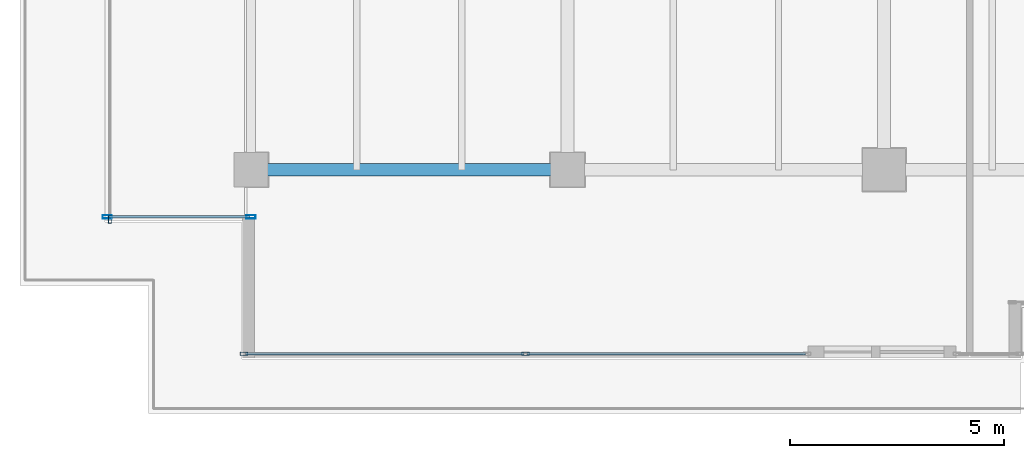
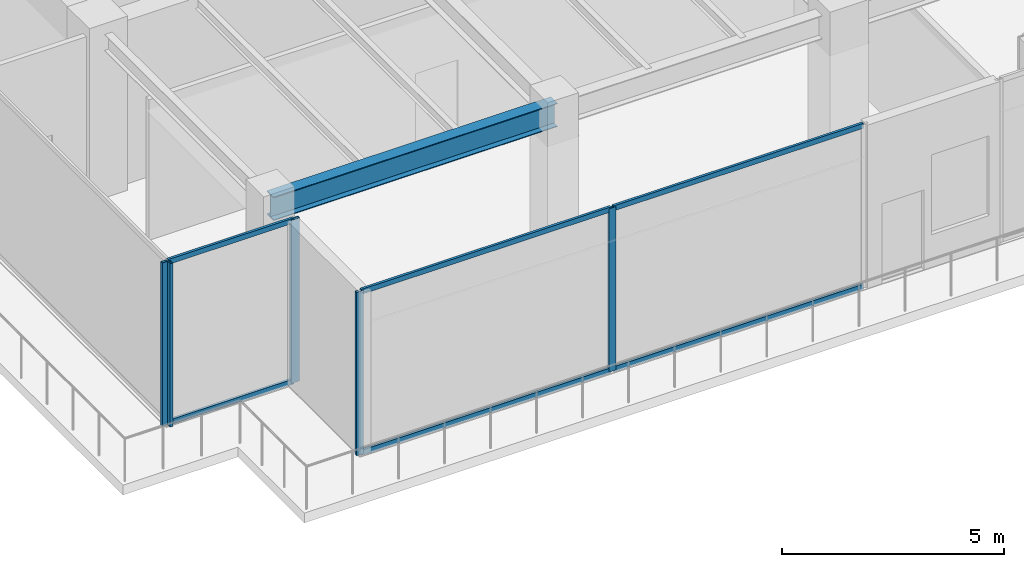
# One storey, part 5 of 37: 11 members, 1 beam, 3 elements without a shape of their own.
"""IFC4 building model written with IfcOpenShell, lengths in metres."""

from ifc_helpers import new_model, si_unit, direction, frame, origin, origin_2d, place, context, subcontext, project, spatial, hollow_rectangle, i_section, extrude, source, transform, mapped, material, layer, layer_set, material_profile, profile_set, type_object, type_shapes, element, aggregate, save


model = new_model("IFC4")

# Units and contexts
model_context = context("Model", 3, precision=1e-05, world=origin(), true_north=direction((0.0, 1.0)))
body_context = subcontext(model_context, "Body", "Model", "MODEL_VIEW")
ifc_project = project(units=[si_unit("LENGTHUNIT", "METRE"), si_unit("AREAUNIT", "SQUARE_METRE"), si_unit("VOLUMEUNIT", "CUBIC_METRE"), si_unit("PLANEANGLEUNIT", "RADIAN"), si_unit("MASSUNIT", "GRAM", prefix="KILO")], contexts=[model_context])

# Site, building, storey
site_placement = place(None, origin())
site = spatial("IfcSite", under=ifc_project, at=site_placement, CompositionType="ELEMENT")
building_placement = place(site_placement, origin())
building = spatial("IfcBuilding", under=site, at=building_placement, Name="Haelvirn Gate Laboratories", CompositionType="ELEMENT")
storey_placement = place(building_placement, frame((0.0, 0.0, 196.60009765625)))
storey = spatial("IfcBuildingStorey", under=building, at=storey_placement, Name="L47", CompositionType="ELEMENT", Elevation=196.60009765625)

# Beam
ifc_material_1 = material(Name="Steel SM355", Category="steel")
ifc_material_profile_1 = material_profile(ifc_material_1, i_section(OverallWidth=0.300048828125, OverallDepth=0.64990234375, WebThickness=0.012939453125, FlangeThickness=0.02197265625, at=origin_2d()), Name="H-650x300x13x22")
ifc_profile_set_1 = profile_set([ifc_material_profile_1], Name="Steel SM355")
beam_type = type_object("IfcBeamType", Name="BM-G-650", PredefinedType="BEAM", material=ifc_profile_set_1)
shared_shape_1 = source(origin(), body_context, "Body", "SweptSolid", [
    extrude(i_section(OverallWidth=0.300048828125, OverallDepth=0.64990234375, WebThickness=0.012939453125, FlangeThickness=0.02197265625, at=origin_2d()), origin(), (0.0, 0.0, 1.0), 7.400146484375),
])
type_shapes(beam_type, [shared_shape_1])
beam_placement = place(storey_placement, frame((7.39990234375, 7.0, 4.1748046875), z_axis=(1.0, 0.0, 0.0), x_axis=(0.0, 1.0, 0.0)))
element("IfcBeam", 1, at=beam_placement, inside=storey, type_object=beam_type, Name="L47 Primary Girder Y7.0 (7.4-14.8)", PredefinedType="BEAM", context=body_context, shape_type="MappedRepresentation", body=[
    mapped(shared_shape_1, transform((0.0, 0.0, 0.0), scale=1.0)),
])

# Curtain wall, members
ifc_material_2 = material(Name="Anodised bronze unitised aluminium & triple low-E glass", Category="aluminium")
ifc_layer_1 = layer(ifc_material_2, 0.176025390625, Name="CW-SYS-4")
ifc_layer_set_1 = layer_set([ifc_layer_1], Name="Anodised bronze unitised aluminium & triple low-E glass")
curtain_wall_type_1 = type_object("IfcCurtainWallType", Name="CW-SYS-4", PredefinedType="NOTDEFINED", material=ifc_layer_set_1)
curtain_wall_1_placement = place(storey_placement, origin())
curtain_wall_1 = element("IfcCurtainWall", 2, at=curtain_wall_1_placement, inside=storey, type_object=curtain_wall_type_1, Name="L47 Unitised Curtain Wall CW-L47-P0-E00-1", PredefinedType="NOTDEFINED")
ifc_material_3 = material(Name="Extruded aluminium 6063-T6 (anodised bronze)", Category="aluminium")
ifc_material_profile_2 = material_profile(ifc_material_3, hollow_rectangle(XDim=0.070068359375, YDim=0.179931640625, WallThickness=0.0048828125, at=origin_2d()), Name="CWM-180x70x5")
ifc_profile_set_2 = profile_set([ifc_material_profile_2], Name="Extruded aluminium 6063-T6 (anodised bronze)")
member_type_1 = type_object("IfcMemberType", Name="CWM-T180", PredefinedType="MULLION", material=ifc_profile_set_2)
shared_shape_2 = source(origin(), body_context, "Body", "SweptSolid", [
    extrude(hollow_rectangle(XDim=0.070068359375, YDim=0.179931640625, WallThickness=0.0048828125, at=origin_2d()), origin(), (0.0, 0.0, 1.0), 4.5),
])
type_shapes(member_type_1, [shared_shape_2])
member_1_placement = place(storey_placement, frame((7.235107421875, 2.699951171875, 0.0), z_axis=(0.0, 0.0, 1.0), x_axis=(0.0, 1.0, 0.0)))
member_1 = element("IfcMember", 3, at=member_1_placement, type_object=member_type_1, Name="CW4 mullion 1", PredefinedType="MULLION", context=body_context, shape_type="MappedRepresentation", body=[
    mapped(shared_shape_2, transform((0.0, 0.0, 0.0), scale=1.0)),
])
member_2_placement = place(storey_placement, frame((13.81494140625, 2.699951171875, 0.0), z_axis=(0.0, 0.0, 1.0), x_axis=(0.0, 1.0, 0.0)))
member_2 = element("IfcMember", 4, at=member_2_placement, type_object=member_type_1, Name="CW4 mullion 2", PredefinedType="MULLION", context=body_context, shape_type="MappedRepresentation", body=[
    mapped(shared_shape_2, transform((0.0, 0.0, 0.0), scale=1.0)),
])

# Curtain wall, member
curtain_wall_2_placement = place(storey_placement, origin())
curtain_wall_2 = element("IfcCurtainWall", 5, at=curtain_wall_2_placement, inside=storey, type_object=curtain_wall_type_1, Name="L47 Unitised Curtain Wall CW-L47-P0-E17", PredefinedType="NOTDEFINED")
member_3_placement = place(storey_placement, frame((4.10009765625, 5.8349609375, 0.0), z_axis=(0.0, 0.0, 1.0), x_axis=(1.0, 0.0, 0.0)))
member_3 = element("IfcMember", 6, at=member_3_placement, type_object=member_type_1, Name="CW4 mullion 3", PredefinedType="MULLION", context=body_context, shape_type="MappedRepresentation", body=[
    mapped(shared_shape_2, transform((0.0, 0.0, 0.0), scale=1.0)),
])
aggregate(curtain_wall_2, [member_3])

# Member
ifc_material_profile_3 = material_profile(ifc_material_3, hollow_rectangle(XDim=0.06494140625, YDim=0.139892578125, WallThickness=0.00390625, at=origin_2d()), Name="CWT-140x65x4")
ifc_profile_set_3 = profile_set([ifc_material_profile_3], Name="Extruded aluminium 6063-T6 (anodised bronze)")
member_type_2 = type_object("IfcMemberType", Name="CWT-T140", PredefinedType="USERDEFINED", material=ifc_profile_set_3)
shared_shape_3 = source(origin(), body_context, "Body", "SweptSolid", [
    extrude(hollow_rectangle(XDim=0.06494140625, YDim=0.139892578125, WallThickness=0.00390625, at=origin_2d()), origin(), (0.0, 0.0, 1.0), 6.510009765625),
])
member_4_placement = place(storey_placement, frame((7.27001953125, 2.699951171875, 0.032470703125), z_axis=(1.0, 0.0, 0.0), x_axis=(0.0, 1.0, 0.0)))
member_4 = element("IfcMember", 7, at=member_4_placement, type_object=member_type_2, Name="CW4 transom 1.1", ObjectType="TRANSOM", PredefinedType="USERDEFINED", context=body_context, shape_type="MappedRepresentation", body=[
    mapped(shared_shape_3, transform((0.0, 0.0, 0.0), scale=1.0)),
])

member_5_placement = place(storey_placement, frame((7.27001953125, 2.699951171875, 4.46728515625), z_axis=(1.0, 0.0, 0.0), x_axis=(0.0, 1.0, 0.0)))
member_5 = element("IfcMember", 8, at=member_5_placement, type_object=member_type_2, Name="CW4 transom 1.2", ObjectType="TRANSOM", PredefinedType="USERDEFINED", context=body_context, shape_type="MappedRepresentation", body=[
    mapped(shared_shape_3, transform((0.0, 0.0, 0.0), scale=1.0)),
])

member_6_placement = place(storey_placement, frame((13.85009765625, 2.699951171875, 0.032470703125), z_axis=(1.0, 0.0, 0.0), x_axis=(0.0, 1.0, 0.0)))
member_6 = element("IfcMember", 9, at=member_6_placement, type_object=member_type_2, Name="CW4 transom 2.1", ObjectType="TRANSOM", PredefinedType="USERDEFINED", context=body_context, shape_type="MappedRepresentation", body=[
    mapped(shared_shape_3, transform((0.0, 0.0, 0.0), scale=1.0)),
])

member_7_placement = place(storey_placement, frame((13.85009765625, 2.699951171875, 4.46728515625), z_axis=(1.0, 0.0, 0.0), x_axis=(0.0, 1.0, 0.0)))
member_7 = element("IfcMember", 10, at=member_7_placement, type_object=member_type_2, Name="CW4 transom 2.2", ObjectType="TRANSOM", PredefinedType="USERDEFINED", context=body_context, shape_type="MappedRepresentation", body=[
    mapped(shared_shape_3, transform((0.0, 0.0, 0.0), scale=1.0)),
])

aggregate(curtain_wall_1, [member_1, member_2, member_4, member_5, member_6, member_7])

# Curtain wall, members
ifc_layer_2 = layer(ifc_material_2, 0.181884765625, Name="CW-SYS-5")
ifc_layer_set_2 = layer_set([ifc_layer_2], Name="Anodised bronze unitised aluminium & triple low-E glass")
curtain_wall_type_2 = type_object("IfcCurtainWallType", Name="CW-SYS-5", PredefinedType="NOTDEFINED", material=ifc_layer_set_2)
curtain_wall_3_placement = place(storey_placement, origin())
curtain_wall_3 = element("IfcCurtainWall", 11, at=curtain_wall_3_placement, inside=storey, type_object=curtain_wall_type_2, Name="L47 Unitised Curtain Wall CW-L47-P0-E18-1", PredefinedType="NOTDEFINED")
ifc_material_profile_4 = material_profile(ifc_material_3, hollow_rectangle(XDim=0.080078125, YDim=0.219970703125, WallThickness=0.006103515625, at=origin_2d()), Name="CWM-220x80x6")
ifc_profile_set_4 = profile_set([ifc_material_profile_4], Name="Extruded aluminium 6063-T6 (anodised bronze)")
member_type_3 = type_object("IfcMemberType", Name="CWM-T220", PredefinedType="MULLION", material=ifc_profile_set_4)
shared_shape_4 = source(origin(), body_context, "Body", "SweptSolid", [
    extrude(hollow_rectangle(XDim=0.080078125, YDim=0.219970703125, WallThickness=0.006103515625, at=origin_2d()), origin(), (0.0, 0.0, 1.0), 4.5),
])
type_shapes(member_type_3, [shared_shape_4])
member_8_placement = place(storey_placement, frame((4.0400390625, 5.89990234375, 0.0), z_axis=(0.0, 0.0, 1.0), x_axis=(0.0, 1.0, 0.0)))
member_8 = element("IfcMember", 12, at=member_8_placement, type_object=member_type_3, Name="CW5 mullion 1", PredefinedType="MULLION", context=body_context, shape_type="MappedRepresentation", body=[
    mapped(shared_shape_4, transform((0.0, 0.0, 0.0), scale=1.0)),
])
member_9_placement = place(storey_placement, frame((7.39990234375, 5.89990234375, 0.0), z_axis=(0.0, 0.0, 1.0), x_axis=(0.0, 1.0, 0.0)))
member_9 = element("IfcMember", 13, at=member_9_placement, type_object=member_type_3, Name="CW5 mullion 2", PredefinedType="MULLION", context=body_context, shape_type="MappedRepresentation", body=[
    mapped(shared_shape_4, transform((0.0, 0.0, 0.0), scale=1.0)),
])
shared_shape_5 = source(origin(), body_context, "Body", "SweptSolid", [
    extrude(hollow_rectangle(XDim=0.06494140625, YDim=0.139892578125, WallThickness=0.00390625, at=origin_2d()), origin(), (0.0, 0.0, 1.0), 3.280029296875),
])
type_shapes(member_type_2, [shared_shape_3, shared_shape_5])
member_10_placement = place(storey_placement, frame((4.080078125, 5.89990234375, 0.032470703125), z_axis=(1.0, 0.0, 0.0), x_axis=(0.0, 1.0, 0.0)))
member_10 = element("IfcMember", 14, at=member_10_placement, type_object=member_type_2, Name="CW5 transom 1.1", ObjectType="TRANSOM", PredefinedType="USERDEFINED", context=body_context, shape_type="MappedRepresentation", body=[
    mapped(shared_shape_5, transform((0.0, 0.0, 0.0), scale=1.0)),
])
member_11_placement = place(storey_placement, frame((4.080078125, 5.89990234375, 4.46728515625), z_axis=(1.0, 0.0, 0.0), x_axis=(0.0, 1.0, 0.0)))
member_11 = element("IfcMember", 15, at=member_11_placement, type_object=member_type_2, Name="CW5 transom 1.2", ObjectType="TRANSOM", PredefinedType="USERDEFINED", context=body_context, shape_type="MappedRepresentation", body=[
    mapped(shared_shape_5, transform((0.0, 0.0, 0.0), scale=1.0)),
])
aggregate(curtain_wall_3, [member_8, member_9, member_10, member_11])

save(model, "model.ifc")
